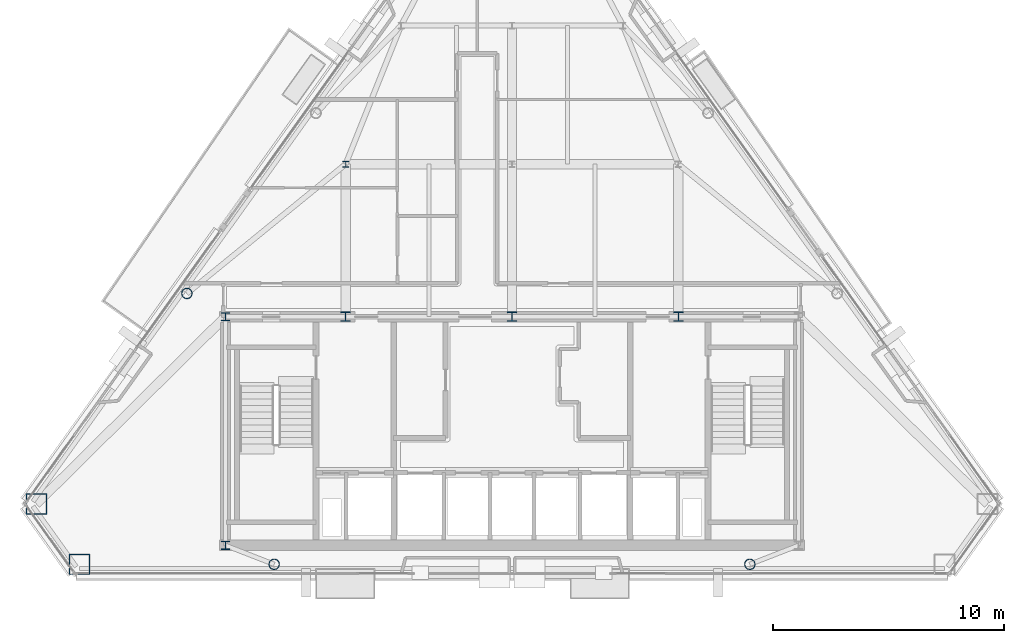
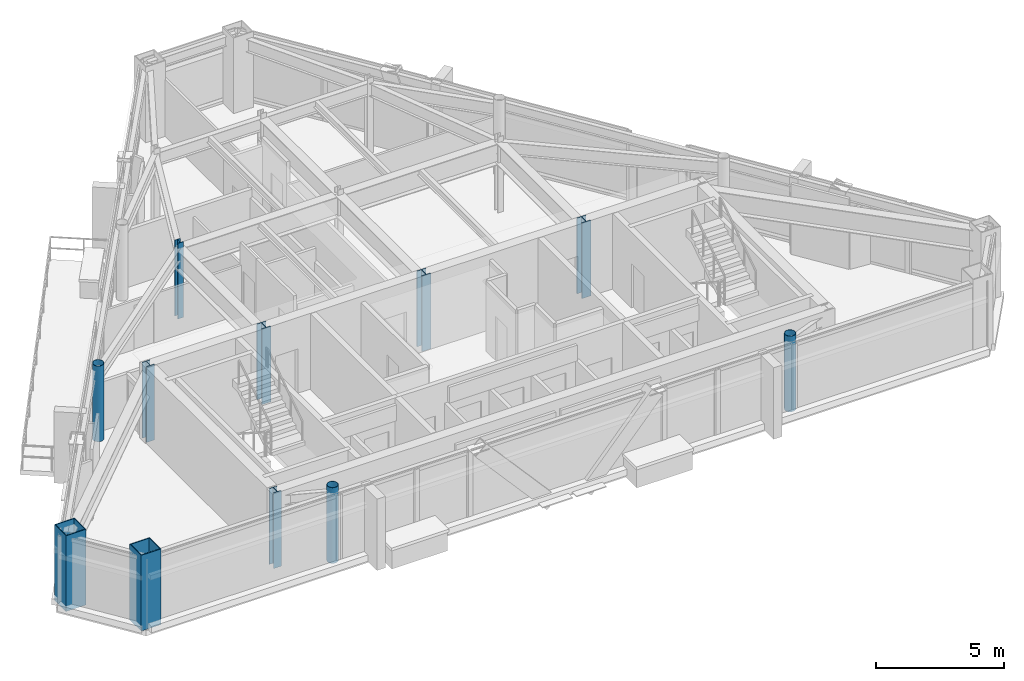
# One storey, part 1 of 12: 11 columns.
"""IFC4 building model written with IfcOpenShell, lengths in metres."""

from ifc_helpers import new_model, si_unit, direction, frame, origin, origin_2d, place, context, subcontext, project, spatial, hollow_rectangle, hollow_circle, i_section, extrude, material, material_profile, profile_set, type_object, element, save


model = new_model("IFC4")

# Units and contexts
model_context = context("Model", 3, precision=1e-05, world=origin(), true_north=direction((0.0, 1.0)))
body_context = subcontext(model_context, "Body", "Model", "MODEL_VIEW")
ifc_project = project(units=[si_unit("LENGTHUNIT", "METRE"), si_unit("AREAUNIT", "SQUARE_METRE"), si_unit("VOLUMEUNIT", "CUBIC_METRE"), si_unit("PLANEANGLEUNIT", "RADIAN"), si_unit("MASSUNIT", "GRAM", prefix="KILO")], contexts=[model_context])

# Site, building, storey
site_placement = place(None, origin())
site = spatial("IfcSite", under=ifc_project, at=site_placement, CompositionType="ELEMENT")
building_placement = place(site_placement, origin())
building = spatial("IfcBuilding", under=site, at=building_placement, Name="Talgorran Terracotta Tower", CompositionType="ELEMENT")
storey_placement = place(building_placement, frame((0.0, 0.0, 263.39990234375)))
storey = spatial("IfcBuildingStorey", under=building, at=storey_placement, Name="L69", CompositionType="ELEMENT", Elevation=263.39990234375)

# Columns
ifc_material_1 = material(Name="Steel S355 (300PLUS)", Category="steel")
ifc_material_profile_1 = material_profile(ifc_material_1, i_section(OverallWidth=0.256103515625, OverallDepth=0.260009765625, WebThickness=0.010498046875, FlangeThickness=0.017333984375, at=origin_2d()), Name="250UC89.5")
ifc_profile_set_1 = profile_set([ifc_material_profile_1], Name="Steel S355 (300PLUS)")
column_type_1 = type_object("IfcColumnType", Name="COL_250UC89", PredefinedType="COLUMN", material=ifc_profile_set_1)
column_placement = place(storey_placement, frame((-7.199951171875, 2.39990234375, 0.0), z_axis=(0.0, 0.0, 1.0), x_axis=(1.0, 0.0, 0.0)))
element("IfcColumn", 1, at=column_placement, inside=storey, type_object=column_type_1, Name="L69 Interior Gravity Column IC1", PredefinedType="COLUMN", context=body_context, shape_type="SweptSolid", body=[
    extrude(i_section(OverallWidth=0.256103515625, OverallDepth=0.260009765625, WebThickness=0.010498046875, FlangeThickness=0.017333984375, at=origin_2d()), origin(), (0.0, 0.0, 1.0), 3.60009765625),
])
ifc_material_profile_2 = material_profile(ifc_material_1, i_section(OverallWidth=0.35205078125, OverallDepth=0.35888671875, WebThickness=0.01806640625, FlangeThickness=0.02587890625, at=origin_2d()), Name="350WC197")
ifc_profile_set_2 = profile_set([ifc_material_profile_2], Name="Steel S355 (300PLUS)")
column_type_2 = type_object("IfcColumnType", Name="COL_350WC197", PredefinedType="COLUMN", material=ifc_profile_set_2)
for number, where, z_axis, x_axis, name in (
    (2, (-12.39990234375, -14.10009765625, 0.0), (0.0, 0.0, 1.0), (1.0, 0.0, 0.0), "L69 Core Boundary Column CC1"),
    (3, (-12.39990234375, -4.199951171875, 0.0), (0.0, 0.0, 1.0), (1.0, 0.0, 0.0), "L69 Core Boundary Column CC4"),
):
    element("IfcColumn", number, at=place(storey_placement, frame(where, z_axis=z_axis, x_axis=x_axis)), inside=storey, type_object=column_type_2, Name=name, PredefinedType="COLUMN", context=body_context, shape_type="SweptSolid", body=[
        extrude(i_section(OverallWidth=0.35205078125, OverallDepth=0.35888671875, WebThickness=0.01806640625, FlangeThickness=0.02587890625, at=origin_2d()), origin(), (0.0, 0.0, 1.0), 3.60009765625),
    ])
ifc_material_2 = material(Name="Steel Grade 350 (350L0)", Category="steel")
ifc_material_profile_3 = material_profile(ifc_material_2, hollow_rectangle(XDim=0.89990234375, YDim=0.89990234375, WallThickness=0.0400390625, at=origin_2d()), Name="CFT900X900X40")
ifc_profile_set_3 = profile_set([ifc_material_profile_3], Name="Steel Grade 350 (350L0)")
column_type_3 = type_object("IfcColumnType", Name="COL_CFT_900", PredefinedType="COLUMN", material=ifc_profile_set_3)
for number, where, z_axis, x_axis, name in (
    (4, (-20.5849609375, -12.303466796875, 0.0), (0.0, 0.0, 1.0), (1.0, 0.0, 0.0), "L69 Corner CFT Mega-Column MC1"),
    (5, (-18.71435546875, -14.9189453125, 0.0), (0.0, 0.0, 1.0), (1.0, 0.0, 0.0), "L69 Corner CFT Mega-Column MC2"),
):
    element("IfcColumn", number, at=place(storey_placement, frame(where, z_axis=z_axis, x_axis=x_axis)), inside=storey, type_object=column_type_3, Name=name, PredefinedType="COLUMN", context=body_context, shape_type="SweptSolid", body=[
        extrude(hollow_rectangle(XDim=0.89990234375, YDim=0.89990234375, WallThickness=0.0400390625, at=origin_2d()), origin(), (0.0, 0.0, 1.0), 3.60009765625),
    ])
ifc_material_3 = material(Name="Steel S350 (C350L0)", Category="steel")
ifc_material_profile_4 = material_profile(ifc_material_3, hollow_circle(Radius=0.228515625, WallThickness=0.01611328125, at=origin_2d()), Name="CHS457X16")
ifc_profile_set_4 = profile_set([ifc_material_profile_4], Name="Steel S350 (C350L0)")
column_type_4 = type_object("IfcColumnType", Name="COL_CHS_457", PredefinedType="COLUMN", material=ifc_profile_set_4)
for number, where, z_axis, x_axis, name in (
    (6, (-10.29296875, -14.9189453125, 0.0), (0.0, 0.0, 1.0), (1.0, 0.0, 0.0), "L69 Facet Perimeter Column FC1"),
    (7, (10.29296875, -14.9189453125, 0.0), (0.0, 0.0, 1.0), (1.0, 0.0, 0.0), "L69 Facet Perimeter Column FC2"),
    (8, (-14.071533203125, -3.1962890625, 0.0), (0.0, 0.0, 1.0), (1.0, 0.0, 0.0), "L69 Facet Perimeter Column FC6"),
):
    element("IfcColumn", number, at=place(storey_placement, frame(where, z_axis=z_axis, x_axis=x_axis)), inside=storey, type_object=column_type_4, Name=name, PredefinedType="COLUMN", context=body_context, shape_type="SweptSolid", body=[
        extrude(hollow_circle(Radius=0.228515625, WallThickness=0.01611328125, at=origin_2d()), origin(), (0.0, 0.0, 1.0), 3.60009765625),
    ])
ifc_material_profile_5 = material_profile(ifc_material_1, i_section(OverallWidth=0.405029296875, OverallDepth=0.4140625, WebThickness=0.02197265625, FlangeThickness=0.031982421875, at=origin_2d()), Name="400WC270")
ifc_profile_set_5 = profile_set([ifc_material_profile_5], Name="Steel S355 (300PLUS)")
column_type_5 = type_object("IfcColumnType", Name="COL_PIL_400WC270", PredefinedType="PILASTER", material=ifc_profile_set_5)
for number, where, z_axis, x_axis, name in (
    (9, (-7.199951171875, -4.199951171875, 0.0), (0.0, 0.0, 1.0), (1.0, 0.0, 0.0), "L69 Core Shear Pilaster CP1"),
    (10, (0.0, -4.199951171875, 0.0), (0.0, 0.0, 1.0), (1.0, 0.0, 0.0), "L69 Core Shear Pilaster CP2"),
    (11, (7.199951171875, -4.199951171875, 0.0), (0.0, 0.0, 1.0), (1.0, 0.0, 0.0), "L69 Core Shear Pilaster CP3"),
):
    element("IfcColumn", number, at=place(storey_placement, frame(where, z_axis=z_axis, x_axis=x_axis)), inside=storey, type_object=column_type_5, Name=name, PredefinedType="PILASTER", context=body_context, shape_type="SweptSolid", body=[
        extrude(i_section(OverallWidth=0.405029296875, OverallDepth=0.4140625, WebThickness=0.02197265625, FlangeThickness=0.031982421875, at=origin_2d()), origin(), (0.0, 0.0, 1.0), 3.60009765625),
    ])

save(model, "model.ifc")
